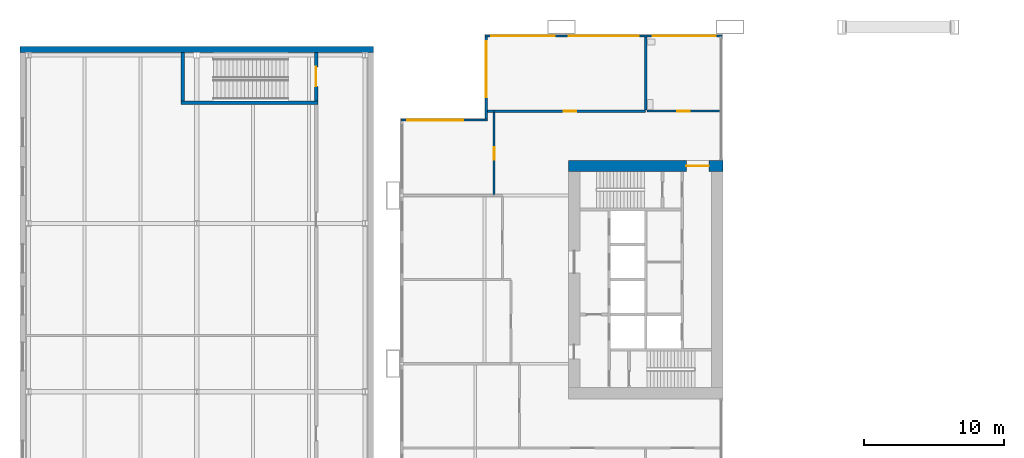
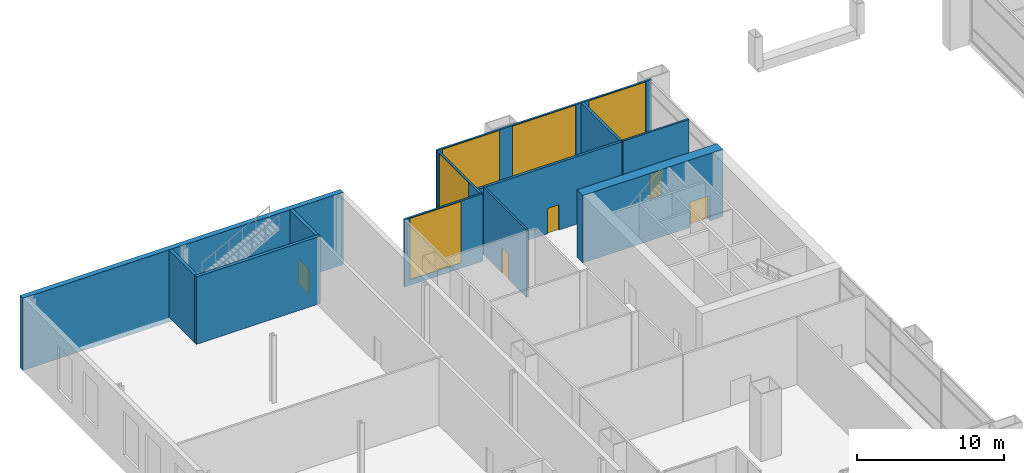
# One storey, part 21 of 25: 13 walls, 5 doors, 5 windows, 10 openings.
"""IFC4 building model written with IfcOpenShell, lengths in metres."""

from ifc_helpers import new_model, si_unit, direction, frame, frame_2d, origin, place, context, subcontext, project, spatial, rectangle, extrude, material, layer, layer_set, type_object, element, fill, save


model = new_model("IFC4")

# Units and contexts
model_context = context("Model", 3, precision=1e-05, world=origin(), true_north=direction((0.0, 1.0)))
body_context = subcontext(model_context, "Body", "Model", "MODEL_VIEW")
ifc_project = project(units=[si_unit("LENGTHUNIT", "METRE"), si_unit("AREAUNIT", "SQUARE_METRE"), si_unit("VOLUMEUNIT", "CUBIC_METRE"), si_unit("PLANEANGLEUNIT", "RADIAN"), si_unit("MASSUNIT", "GRAM", prefix="KILO")], contexts=[model_context])

# Site, building, storey
site_placement = place(None, origin())
site = spatial("IfcSite", under=ifc_project, at=site_placement, CompositionType="ELEMENT")
building_placement = place(site_placement, origin())
building = spatial("IfcBuilding", under=site, at=building_placement, Name="Kitamizu Gate Tower and Museum", CompositionType="ELEMENT")
storey_placement = place(building_placement, frame((0.0, 0.0, 18.0)))
storey = spatial("IfcBuildingStorey", under=building, at=storey_placement, Name="L03", CompositionType="ELEMENT", Elevation=18.0)

# Wall, opening, door
ifc_material_1 = material(Name="Concrete Fc60", Category="concrete")
ifc_layer_1 = layer(ifc_material_1, 0.800048828125)
ifc_layer_set_1 = layer_set([ifc_layer_1], Name="Concrete Fc60")
wall_type_1 = type_object("IfcWallType", Name="Core wall 800", PredefinedType="SHEAR", material=ifc_layer_set_1)
wall_1_placement = place(storey_placement, frame((12.5, 38.10009765625, 0.0), z_axis=(0.0, 0.0, 1.0), x_axis=(1.0, 0.0, 0.0)))
wall_1 = element("IfcWall", 1, at=wall_1_placement, inside=storey, type_object=wall_type_1, Name="Core wall WN", PredefinedType="SHEAR", context=body_context, shape_type="SweptSolid", body=[
    extrude(rectangle(XDim=11.0, YDim=0.800048828125, at=frame_2d((5.5, 0.0))), origin(), (0.0, 0.0, 1.0), 5.60009765625),
])
opening_1_placement = place(wall_1_placement, frame((8.39990234375, 0.0, 0.0)))
opening_1 = element("IfcOpeningElement", 2, at=opening_1_placement, cuts=wall_1, Name="Opening L03-025", PredefinedType="OPENING", context=body_context, shape_type="SweptSolid", body=[
    extrude(rectangle(XDim=1.60009765625, YDim=2.10009765625, at=frame_2d((0.800048828125, 1.050048828125))), frame((0.0, 0.41015625, 0.0), z_axis=(0.0, -1.0, 0.0), x_axis=(1.0, 0.0, 0.0)), (0.0, 0.0, 1.0), 0.820068359375),
])
ifc_material_2 = material(Name="Timber door set", Category="wood")
door_type_1 = type_object("IfcDoorType", Name="Entrance door 1600", OperationType="DOUBLE_DOOR_SINGLE_SWING", PredefinedType="DOOR", material=ifc_material_2)
door_1_placement = place(opening_1_placement, origin())
door_1 = element("IfcDoor", 3, at=door_1_placement, inside=storey, type_object=door_type_1, Name="Lobby door L03-025", OperationType="DOUBLE_DOOR_SINGLE_SWING", OverallHeight=2.10009765625, OverallWidth=1.60009765625, PredefinedType="DOOR", context=body_context, shape_type="SweptSolid", body=[
    extrude(rectangle(XDim=1.60009765625, YDim=2.10009765625, at=frame_2d((0.800048828125, 1.050048828125))), frame((0.0, 0.02490234375, 0.0), z_axis=(0.0, -1.0, 0.0), x_axis=(1.0, 0.0, 0.0)), (0.0, 0.0, 1.0), 0.050048828125),
])
fill(opening_1, door_1)

ifc_material_3 = material(Name="Concrete Fc30", Category="concrete")
ifc_layer_2 = layer(ifc_material_3, 0.25)
ifc_layer_set_2 = layer_set([ifc_layer_2], Name="Concrete Fc30")
wall_type_2 = type_object("IfcWallType", Name="Museum RC core wall 250", PredefinedType="SHEAR", material=ifc_layer_set_2)
wall_2_placement = place(storey_placement, frame((-5.5, 42.72509765625, 0.0), z_axis=(0.0, 0.0, 1.0), x_axis=(0.0, 1.0, 0.0)))
wall_2 = element("IfcWall", 4, at=wall_2_placement, inside=storey, type_object=wall_type_2, Name="Core wall L03.15.1", PredefinedType="SHEAR", context=body_context, shape_type="SweptSolid", body=[
    extrude(rectangle(XDim=3.474853515625, YDim=0.25, at=frame_2d((1.7373046875, 0.0))), origin(), (0.0, 0.0, 1.0), 5.60009765625),
])
opening_2_placement = place(wall_2_placement, frame((1.0380859375, 0.0, 0.0)))
opening_2 = element("IfcOpeningElement", 5, at=opening_2_placement, cuts=wall_2, Name="Opening MUS-L03-002", PredefinedType="OPENING", context=body_context, shape_type="SweptSolid", body=[
    extrude(rectangle(XDim=1.39990234375, YDim=2.10009765625, at=frame_2d((0.699951171875, 1.050048828125))), frame((0.0, 0.135009765625, 0.0), z_axis=(0.0, -1.0, 0.0), x_axis=(1.0, 0.0, 0.0)), (0.0, 0.0, 1.0), 0.27001953125),
])
ifc_material_4 = material(Name="Timber leaf in hollow metal frame", Category="wood")
door_type_2 = type_object("IfcDoorType", Name="Museum door 1400x2100 FD60", OperationType="DOUBLE_DOOR_SINGLE_SWING", PredefinedType="DOOR", material=ifc_material_4)
door_2_placement = place(opening_2_placement, origin())
door_2 = element("IfcDoor", 6, at=door_2_placement, inside=storey, type_object=door_type_2, Name="Door Stair N", OperationType="DOUBLE_DOOR_SINGLE_SWING", OverallHeight=2.10009765625, OverallWidth=1.39990234375, PredefinedType="DOOR", context=body_context, shape_type="SweptSolid", body=[
    extrude(rectangle(XDim=1.39990234375, YDim=2.10009765625, at=frame_2d((0.699951171875, 1.050048828125))), frame((0.0, 0.02490234375, 0.0), z_axis=(0.0, -1.0, 0.0), x_axis=(1.0, 0.0, 0.0)), (0.0, 0.0, 1.0), 0.050048828125),
])
fill(opening_2, door_2)

# Walls
wall_3_placement = place(storey_placement, frame((-15.125, 42.60009765625, 0.0), z_axis=(0.0, 0.0, 1.0), x_axis=(1.0, 0.0, 0.0)))
element("IfcWall", 7, at=wall_3_placement, inside=storey, type_object=wall_type_2, Name="Core wall L03.33.1", PredefinedType="SHEAR", context=body_context, shape_type="SweptSolid", body=[
    extrude(rectangle(XDim=9.75, YDim=0.25, at=frame_2d((4.875, 0.0))), origin(), (0.0, 0.0, 1.0), 5.60009765625),
])
wall_4_placement = place(storey_placement, frame((-15.0, 42.72509765625, 0.0), z_axis=(0.0, 0.0, 1.0), x_axis=(0.0, 1.0, 0.0)))
element("IfcWall", 8, at=wall_4_placement, inside=storey, type_object=wall_type_2, Name="Core wall L03.34.1", PredefinedType="SHEAR", context=body_context, shape_type="SweptSolid", body=[
    extrude(rectangle(XDim=3.474853515625, YDim=0.25, at=frame_2d((1.7373046875, 0.0))), origin(), (0.0, 0.0, 1.0), 5.60009765625),
])
ifc_material_5 = material(Name="Concrete Fc30 precast", Category="concrete")
ifc_layer_3 = layer(ifc_material_5, 0.39990234375)
ifc_layer_set_3 = layer_set([ifc_layer_3], Name="Concrete Fc30 precast")
wall_type_3 = type_object("IfcWallType", Name="Museum cladding wall 400", PredefinedType="STANDARD", material=ifc_layer_set_3)
wall_5_placement = place(storey_placement, frame((-26.60009765625, 46.39990234375, -0.39990234375), z_axis=(0.0, 0.0, 1.0), x_axis=(1.0, 0.0, 0.0)))
element("IfcWall", 9, at=wall_5_placement, inside=storey, type_object=wall_type_3, Name="Cladding wall L03.9", PredefinedType="STANDARD", context=body_context, shape_type="SweptSolid", body=[
    extrude(rectangle(XDim=25.2001953125, YDim=0.39990234375, at=frame_2d((12.60009765625, 0.0))), origin(), (0.0, 0.0, 1.0), 6.0),
])

# Wall, opening, door
ifc_material_6 = material(Name="Gypsum board on galvanised stud")
ifc_layer_4 = layer(ifc_material_6, 0.14990234375)
ifc_layer_set_4 = layer_set([ifc_layer_4], Name="Gypsum board on galvanised stud")
wall_type_4 = type_object("IfcWallType", Name="Partition 150", PredefinedType="PARTITIONING", material=ifc_layer_set_4)
wall_6_placement = place(storey_placement, frame((7.199951171875, 41.89990234375, 0.0), z_axis=(0.0, 0.0, 1.0), x_axis=(0.0, -1.0, 0.0)))
wall_6 = element("IfcWall", 10, at=wall_6_placement, inside=storey, type_object=wall_type_4, Name="Partition L03-009", PredefinedType="PARTITIONING", context=body_context, shape_type="SweptSolid", body=[
    extrude(rectangle(XDim=5.824951171875, YDim=0.14990234375, at=frame_2d((2.91259765625, 0.0))), origin(), (0.0, 0.0, 1.0), 5.60009765625),
])
opening_3_placement = place(wall_6_placement, frame((2.46240234375, 0.0, 0.0)))
opening_3 = element("IfcOpeningElement", 11, at=opening_3_placement, cuts=wall_6, Name="Opening L03-015", PredefinedType="OPENING", context=body_context, shape_type="SweptSolid", body=[
    extrude(rectangle(XDim=0.89990234375, YDim=2.10009765625, at=frame_2d((0.449951171875, 1.050048828125))), frame((0.0, 0.0849609375, 0.0), z_axis=(0.0, -1.0, 0.0), x_axis=(1.0, 0.0, 0.0)), (0.0, 0.0, 1.0), 0.169921875),
])
ifc_material_7 = material(Name="Timber door set", Category="wood")
door_type_3 = type_object("IfcDoorType", Name="Room door 900", OperationType="NOTDEFINED", PredefinedType="DOOR", material=ifc_material_7)
door_3_placement = place(opening_3_placement, frame((0.89990234375, 0.0, 0.0), x_axis=(-1.0, 0.0, 0.0)))
door_3 = element("IfcDoor", 12, at=door_3_placement, inside=storey, type_object=door_type_3, Name="Door L03-015", OperationType="SINGLE_SWING_RIGHT", OverallHeight=2.10009765625, OverallWidth=0.89990234375, PredefinedType="DOOR", context=body_context, shape_type="SweptSolid", body=[
    extrude(rectangle(XDim=0.89990234375, YDim=2.10009765625, at=frame_2d((0.449951171875, 1.050048828125))), frame((0.0, 0.02490234375, 0.0), z_axis=(0.0, -1.0, 0.0), x_axis=(1.0, 0.0, 0.0)), (0.0, 0.0, 1.0), 0.050048828125),
])
fill(opening_3, door_3)

wall_7_placement = place(storey_placement, frame((23.280029296875, 42.0, 0.0), z_axis=(0.0, 0.0, 1.0), x_axis=(-1.0, 0.0, 0.0)))
wall_7 = element("IfcWall", 13, at=wall_7_placement, inside=storey, type_object=wall_type_4, Name="Partition L03-011", PredefinedType="PARTITIONING", context=body_context, shape_type="SweptSolid", body=[
    extrude(rectangle(XDim=5.179931640625, YDim=0.14990234375, at=frame_2d((2.58984375, 0.0))), origin(), (0.0, 0.0, 1.0), 5.60009765625),
])
opening_4_placement = place(wall_7_placement, frame((2.139892578125, 0.0, 0.0)))
opening_4 = element("IfcOpeningElement", 14, at=opening_4_placement, cuts=wall_7, Name="Opening L03-017", PredefinedType="OPENING", context=body_context, shape_type="SweptSolid", body=[
    extrude(rectangle(XDim=0.89990234375, YDim=2.10009765625, at=frame_2d((0.449951171875, 1.050048828125))), frame((0.0, 0.0849609375, 0.0), z_axis=(0.0, -1.0, 0.0), x_axis=(1.0, 0.0, 0.0)), (0.0, 0.0, 1.0), 0.169921875),
])
door_4_placement = place(opening_4_placement, frame((0.89990234375, 0.0, 0.0), x_axis=(-1.0, 0.0, 0.0)))
door_4 = element("IfcDoor", 15, at=door_4_placement, inside=storey, type_object=door_type_3, Name="Door L03-017", OperationType="SINGLE_SWING_RIGHT", OverallHeight=2.10009765625, OverallWidth=0.89990234375, PredefinedType="DOOR", context=body_context, shape_type="SweptSolid", body=[
    extrude(rectangle(XDim=0.89990234375, YDim=2.10009765625, at=frame_2d((0.449951171875, 1.050048828125))), frame((0.0, 0.02490234375, 0.0), z_axis=(0.0, -1.0, 0.0), x_axis=(1.0, 0.0, 0.0)), (0.0, 0.0, 1.0), 0.050048828125),
])
fill(opening_4, door_4)

ifc_material_8 = material(Name="Gypsum board on galvanised stud")
ifc_layer_5 = layer(ifc_material_8, 0.199951171875)
ifc_layer_set_5 = layer_set([ifc_layer_5], Name="Gypsum board on galvanised stud")
wall_type_5 = type_object("IfcWallType", Name="Partition 200", PredefinedType="PARTITIONING", material=ifc_layer_set_5)
wall_8_placement = place(storey_placement, frame((18.0, 42.0, 0.0), z_axis=(0.0, 0.0, 1.0), x_axis=(-1.0, 0.0, 0.0)))
wall_8 = element("IfcWall", 16, at=wall_8_placement, inside=storey, type_object=wall_type_5, Name="Partition L03-010", PredefinedType="PARTITIONING", context=body_context, shape_type="SweptSolid", body=[
    extrude(rectangle(XDim=10.800048828125, YDim=0.199951171875, at=frame_2d((5.39990234375, 0.0))), origin(), (0.0, 0.0, 1.0), 5.60009765625),
])
opening_5_placement = place(wall_8_placement, frame((4.949951171875, 0.0, 0.0)))
opening_5 = element("IfcOpeningElement", 17, at=opening_5_placement, cuts=wall_8, Name="Opening L03-016", PredefinedType="OPENING", context=body_context, shape_type="SweptSolid", body=[
    extrude(rectangle(XDim=0.89990234375, YDim=2.10009765625, at=frame_2d((0.449951171875, 1.050048828125))), frame((0.0, 0.10986328125, 0.0), z_axis=(0.0, -1.0, 0.0), x_axis=(1.0, 0.0, 0.0)), (0.0, 0.0, 1.0), 0.219970703125),
])
ifc_material_9 = material(Name="Timber door set", Category="wood")
door_type_4 = type_object("IfcDoorType", Name="Store door 900", OperationType="NOTDEFINED", PredefinedType="DOOR", material=ifc_material_9)
door_5_placement = place(opening_5_placement, frame((0.89990234375, 0.0, 0.0), x_axis=(-1.0, 0.0, 0.0)))
door_5 = element("IfcDoor", 18, at=door_5_placement, inside=storey, type_object=door_type_4, Name="Store door L03-016", OperationType="SINGLE_SWING_LEFT", OverallHeight=2.10009765625, OverallWidth=0.89990234375, PredefinedType="DOOR", context=body_context, shape_type="SweptSolid", body=[
    extrude(rectangle(XDim=0.89990234375, YDim=2.10009765625, at=frame_2d((0.449951171875, 1.050048828125))), frame((0.0, 0.02490234375, 0.0), z_axis=(0.0, -1.0, 0.0), x_axis=(1.0, 0.0, 0.0)), (0.0, 0.0, 1.0), 0.050048828125),
])
fill(opening_5, door_5)

# Walls
wall_9_placement = place(storey_placement, frame((7.199951171875, 42.0, 0.0), z_axis=(0.0, 0.0, 1.0), x_axis=(-1.0, 0.0, 0.0)))
element("IfcWall", 19, at=wall_9_placement, inside=storey, type_object=wall_type_5, Name="Partition L03-037", PredefinedType="PARTITIONING", context=body_context, shape_type="SweptSolid", body=[
    extrude(rectangle(XDim=0.47998046875, YDim=0.199951171875, at=frame_2d((0.239990234375, 0.0))), origin(), (0.0, 0.0, 1.0), 5.60009765625),
])
wall_10_placement = place(storey_placement, frame((18.0, 42.10009765625, 0.0), z_axis=(0.0, 0.0, 1.0), x_axis=(0.0, 1.0, 0.0)))
element("IfcWall", 20, at=wall_10_placement, inside=storey, type_object=wall_type_5, Name="Partition L03-038", PredefinedType="PARTITIONING", context=body_context, shape_type="SweptSolid", body=[
    extrude(rectangle(XDim=5.179931640625, YDim=0.199951171875, at=frame_2d((2.58984375, 0.0))), origin(), (0.0, 0.0, 1.0), 5.60009765625),
])

# Wall, openings, windows
ifc_material_10 = material(Name="Bronze anodised aluminium frame with insulated spandrel and tinted glass", Category="aluminium")
ifc_layer_6 = layer(ifc_material_10, 0.14990234375)
ifc_layer_set_6 = layer_set([ifc_layer_6], Name="Bronze anodised aluminium frame with insulated spandrel and tinted glass")
wall_type_6 = type_object("IfcWallType", Name="WINDOW WALL 150 BRONZE FRAME EI 60", PredefinedType="ELEMENTEDWALL", material=ifc_layer_set_6)
wall_11_placement = place(storey_placement, frame((6.56005859375, 47.364990234375, 0.0), z_axis=(0.0, 0.0, 1.0), x_axis=(1.0, 0.0, 0.0)))
wall_11 = element("IfcWall", 21, at=wall_11_placement, inside=storey, type_object=wall_type_6, Name="Window wall north L03", PredefinedType="ELEMENTEDWALL", context=body_context, shape_type="SweptSolid", body=[
    extrude(rectangle(XDim=16.8798828125, YDim=0.14990234375, at=frame_2d((8.43994140625, 0.0))), origin(), (0.0, 0.0, 1.0), 5.60009765625),
])
opening_6_placement = place(wall_11_placement, frame((0.43994140625, 0.0, 0.449951171875)))
opening_6 = element("IfcOpeningElement", 22, at=opening_6_placement, cuts=wall_11, Name="Opening W21", PredefinedType="OPENING", context=body_context, shape_type="SweptSolid", body=[
    extrude(rectangle(XDim=4.5, YDim=5.10009765625, at=frame_2d((2.25, 2.550048828125))), frame((0.0, 0.0849609375, 0.0), z_axis=(0.0, -1.0, 0.0), x_axis=(1.0, 0.0, 0.0)), (0.0, 0.0, 1.0), 0.169921875),
])
opening_7_placement = place(wall_11_placement, frame((5.93994140625, 0.0, 0.449951171875)))
opening_7 = element("IfcOpeningElement", 23, at=opening_7_placement, cuts=wall_11, Name="Opening W7", PredefinedType="OPENING", context=body_context, shape_type="SweptSolid", body=[
    extrude(rectangle(XDim=5.0, YDim=5.10009765625, at=frame_2d((2.5, 2.550048828125))), frame((0.0, 0.0849609375, 0.0), z_axis=(0.0, -1.0, 0.0), x_axis=(1.0, 0.0, 0.0)), (0.0, 0.0, 1.0), 0.169921875),
])
opening_8_placement = place(wall_11_placement, frame((11.93994140625, 0.0, 0.449951171875)))
opening_8 = element("IfcOpeningElement", 24, at=opening_8_placement, cuts=wall_11, Name="Opening W21", PredefinedType="OPENING", context=body_context, shape_type="SweptSolid", body=[
    extrude(rectangle(XDim=4.5, YDim=5.10009765625, at=frame_2d((2.25, 2.550048828125))), frame((0.0, 0.0849609375, 0.0), z_axis=(0.0, -1.0, 0.0), x_axis=(1.0, 0.0, 0.0)), (0.0, 0.0, 1.0), 0.169921875),
])
ifc_material_11 = material(Name="Bronze anodised aluminium frame, tinted triple glazing", Category="aluminium")
window_type_1 = type_object("IfcWindowType", Name="WINDOW 4500 x 5100 SILL 450", PartitioningType="SINGLE_PANEL", PredefinedType="WINDOW", material=ifc_material_11)
window_1_placement = place(opening_6_placement, origin())
window_1 = element("IfcWindow", 25, at=window_1_placement, inside=storey, type_object=window_type_1, Name="Window W21 L03", OverallHeight=5.10009765625, OverallWidth=4.5, PartitioningType="SINGLE_PANEL", PredefinedType="WINDOW", context=body_context, shape_type="SweptSolid", body=[
    extrude(rectangle(XDim=4.5, YDim=5.10009765625, at=frame_2d((2.25, 2.550048828125))), frame((0.0, 0.030029296875, 0.0), z_axis=(0.0, -1.0, 0.0), x_axis=(1.0, 0.0, 0.0)), (0.0, 0.0, 1.0), 0.06005859375),
])
fill(opening_6, window_1)
window_2_placement = place(opening_8_placement, origin())
window_2 = element("IfcWindow", 26, at=window_2_placement, inside=storey, type_object=window_type_1, Name="Window W21 L03", OverallHeight=5.10009765625, OverallWidth=4.5, PartitioningType="SINGLE_PANEL", PredefinedType="WINDOW", context=body_context, shape_type="SweptSolid", body=[
    extrude(rectangle(XDim=4.5, YDim=5.10009765625, at=frame_2d((2.25, 2.550048828125))), frame((0.0, 0.030029296875, 0.0), z_axis=(0.0, -1.0, 0.0), x_axis=(1.0, 0.0, 0.0)), (0.0, 0.0, 1.0), 0.06005859375),
])
fill(opening_8, window_2)
ifc_material_12 = material(Name="Bronze anodised aluminium frame, tinted triple glazing", Category="aluminium")
window_type_2 = type_object("IfcWindowType", Name="WINDOW 5000 x 5100 SILL 450", PartitioningType="SINGLE_PANEL", PredefinedType="WINDOW", material=ifc_material_12)
window_3_placement = place(opening_7_placement, origin())
window_3 = element("IfcWindow", 27, at=window_3_placement, inside=storey, type_object=window_type_2, Name="Window W7 L03", OverallHeight=5.10009765625, OverallWidth=5.0, PartitioningType="SINGLE_PANEL", PredefinedType="WINDOW", context=body_context, shape_type="SweptSolid", body=[
    extrude(rectangle(XDim=5.0, YDim=5.10009765625, at=frame_2d((2.5, 2.550048828125))), frame((0.0, 0.030029296875, 0.0), z_axis=(0.0, -1.0, 0.0), x_axis=(1.0, 0.0, 0.0)), (0.0, 0.0, 1.0), 0.06005859375),
])
fill(opening_7, window_3)

# Wall, opening, window
wall_12_placement = place(storey_placement, frame((6.635009765625, 41.43994140625, 0.0), z_axis=(0.0, 0.0, 1.0), x_axis=(0.0, 1.0, 0.0)))
wall_12 = element("IfcWall", 28, at=wall_12_placement, inside=storey, type_object=wall_type_6, Name="Window wall west L03", PredefinedType="ELEMENTEDWALL", context=body_context, shape_type="SweptSolid", body=[
    extrude(rectangle(XDim=5.85009765625, YDim=0.14990234375, at=frame_2d((2.925048828125, 0.0))), origin(), (0.0, 0.0, 1.0), 5.60009765625),
])
opening_9_placement = place(wall_12_placement, frame((1.56005859375, 0.0, 0.449951171875)))
opening_9 = element("IfcOpeningElement", 29, at=opening_9_placement, cuts=wall_12, Name="Opening W22", PredefinedType="OPENING", context=body_context, shape_type="SweptSolid", body=[
    extrude(rectangle(XDim=4.0, YDim=5.10009765625, at=frame_2d((2.0, 2.550048828125))), frame((0.0, 0.0849609375, 0.0), z_axis=(0.0, -1.0, 0.0), x_axis=(1.0, 0.0, 0.0)), (0.0, 0.0, 1.0), 0.169921875),
])
ifc_material_13 = material(Name="Bronze anodised aluminium frame, tinted triple glazing", Category="aluminium")
window_type_3 = type_object("IfcWindowType", Name="WINDOW 4000 x 5100 SILL 450", PartitioningType="SINGLE_PANEL", PredefinedType="WINDOW", material=ifc_material_13)
window_4_placement = place(opening_9_placement, origin())
window_4 = element("IfcWindow", 30, at=window_4_placement, inside=storey, type_object=window_type_3, Name="Window W22 L03", OverallHeight=5.10009765625, OverallWidth=4.0, PartitioningType="SINGLE_PANEL", PredefinedType="WINDOW", context=body_context, shape_type="SweptSolid", body=[
    extrude(rectangle(XDim=4.0, YDim=5.10009765625, at=frame_2d((2.0, 2.550048828125))), frame((0.0, 0.030029296875, 0.0), z_axis=(0.0, -1.0, 0.0), x_axis=(1.0, 0.0, 0.0)), (0.0, 0.0, 1.0), 0.06005859375),
])
fill(opening_9, window_4)

wall_13_placement = place(storey_placement, frame((0.56005859375, 41.364990234375, 0.0), z_axis=(0.0, 0.0, 1.0), x_axis=(1.0, 0.0, 0.0)))
wall_13 = element("IfcWall", 31, at=wall_13_placement, inside=storey, type_object=wall_type_6, Name="Window wall north L03", PredefinedType="ELEMENTEDWALL", context=body_context, shape_type="SweptSolid", body=[
    extrude(rectangle(XDim=6.14990234375, YDim=0.14990234375, at=frame_2d((3.074951171875, 0.0))), origin(), (0.0, 0.0, 1.0), 5.60009765625),
])
opening_10_placement = place(wall_13_placement, frame((0.43994140625, 0.0, 0.449951171875)))
opening_10 = element("IfcOpeningElement", 32, at=opening_10_placement, cuts=wall_13, Name="Opening W22", PredefinedType="OPENING", context=body_context, shape_type="SweptSolid", body=[
    extrude(rectangle(XDim=4.0, YDim=5.10009765625, at=frame_2d((2.0, 2.550048828125))), frame((0.0, 0.0849609375, 0.0), z_axis=(0.0, -1.0, 0.0), x_axis=(1.0, 0.0, 0.0)), (0.0, 0.0, 1.0), 0.169921875),
])
window_5_placement = place(opening_10_placement, origin())
window_5 = element("IfcWindow", 33, at=window_5_placement, inside=storey, type_object=window_type_3, Name="Window W22 L03", OverallHeight=5.10009765625, OverallWidth=4.0, PartitioningType="SINGLE_PANEL", PredefinedType="WINDOW", context=body_context, shape_type="SweptSolid", body=[
    extrude(rectangle(XDim=4.0, YDim=5.10009765625, at=frame_2d((2.0, 2.550048828125))), frame((0.0, 0.030029296875, 0.0), z_axis=(0.0, -1.0, 0.0), x_axis=(1.0, 0.0, 0.0)), (0.0, 0.0, 1.0), 0.06005859375),
])
fill(opening_10, window_5)

save(model, "model.ifc")
